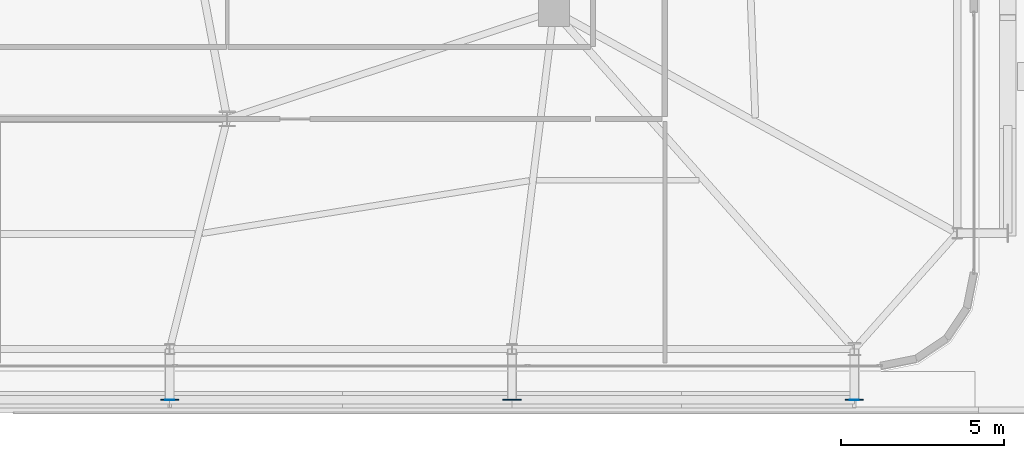
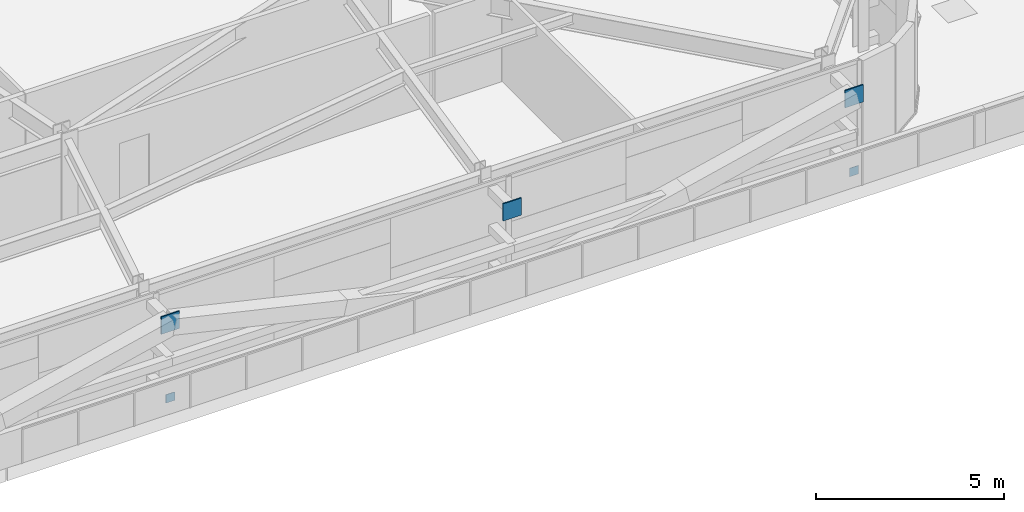
# One storey, part 44 of 56: 5 plates.
"""IFC4 building model written with IfcOpenShell, lengths in metres."""

from ifc_helpers import new_model, si_unit, direction, frame, origin, origin_2d, place, context, subcontext, project, spatial, rectangle, extrude, source, transform, mapped, material, layer, layer_set, type_object, element, save


model = new_model("IFC4")

# Units and contexts
model_context = context("Model", 3, precision=1e-05, world=origin(), true_north=direction((0.0, 1.0)))
body_context = subcontext(model_context, "Body", "Model", "MODEL_VIEW")
ifc_project = project(units=[si_unit("LENGTHUNIT", "METRE"), si_unit("AREAUNIT", "SQUARE_METRE"), si_unit("VOLUMEUNIT", "CUBIC_METRE"), si_unit("PLANEANGLEUNIT", "RADIAN"), si_unit("MASSUNIT", "GRAM", prefix="KILO")], contexts=[model_context])

# Site, building, storey
site_placement = place(None, origin())
site = spatial("IfcSite", under=ifc_project, at=site_placement, CompositionType="ELEMENT")
building_placement = place(site_placement, origin())
building = spatial("IfcBuilding", under=site, at=building_placement, Name="Taldren Reach Tower", CompositionType="ELEMENT")
storey_placement = place(building_placement, frame((0.0, 0.0, 16.800048828125)))
storey = spatial("IfcBuildingStorey", under=building, at=storey_placement, Name="L04", CompositionType="ELEMENT", Elevation=16.800048828125)

# Plates
ifc_material = material(Name="Steel Gr 450 (C450L0)", Category="steel")
ifc_layer_1 = layer(ifc_material, 0.0400390625)
ifc_layer_set_1 = layer_set([ifc_layer_1], Name="Steel Gr 450 (C450L0)")
plate_type_1 = type_object("IfcPlateType", Name="PL-GUSSET-40", PredefinedType="SHEET", material=ifc_layer_set_1)
shared_shape_1 = source(origin(), body_context, "Body", "SweptSolid", [
    extrude(rectangle(XDim=0.56005859375, YDim=0.0400390625, at=origin_2d()), origin(), (0.0, 0.0, 1.0), 0.56005859375),
])
for number, where, z_axis, x_axis, name in (
    (1, (40.239990234375, 0.60009765625, 2.369873046875), (0.0, 0.0, 1.0), (1.0, 0.0, 0.0), "Exoskeleton star-node gusset plate B1-S4 L04"),
    (2, (50.719970703125, 0.60009765625, 2.369873046875), (0.0, 0.0, 1.0), (1.0, 0.0, 0.0), "Exoskeleton star-node gusset plate B1-S5 L04"),
    (3, (61.199951171875, 0.60009765625, 2.369873046875), (0.0, 0.0, 1.0), (1.0, 0.0, 0.0), "Exoskeleton star-node gusset plate B1-S6 L04"),
):
    element("IfcPlate", number, at=place(storey_placement, frame(where, z_axis=z_axis, x_axis=x_axis)), inside=storey, type_object=plate_type_1, Name=name, PredefinedType="SHEET", context=body_context, shape_type="MappedRepresentation", body=[
        mapped(shared_shape_1, transform((0.0, 0.0, 0.0), scale=1.0)),
    ])
ifc_layer_2 = layer(ifc_material, 0.011962890625)
ifc_layer_set_2 = layer_set([ifc_layer_2], Name="Steel Gr 450 (C450L0)")
plate_type_2 = type_object("IfcPlateType", Name="PL-CAP-275", PredefinedType="SHEET", material=ifc_layer_set_2)
shared_shape_2 = source(origin(), body_context, "Body", "SweptSolid", [
    extrude(rectangle(XDim=0.27490234375, YDim=0.011962890625, at=origin_2d()), origin(), (0.0, 0.0, 1.0), 0.27490234375),
])
for number, where, z_axis, x_axis, name in (
    (4, (40.239990234375, 0.593994140625, 0.08251953125), (0.0, 0.0, 1.0), (1.0, 0.0, 0.0), "Tie strut end cap plate B1-S4 L04"),
    (5, (61.199951171875, 0.593994140625, 0.08251953125), (0.0, 0.0, 1.0), (1.0, 0.0, 0.0), "Tie strut end cap plate B1-S6 L04"),
):
    element("IfcPlate", number, at=place(storey_placement, frame(where, z_axis=z_axis, x_axis=x_axis)), inside=storey, type_object=plate_type_2, Name=name, PredefinedType="SHEET", context=body_context, shape_type="MappedRepresentation", body=[
        mapped(shared_shape_2, transform((0.0, 0.0, 0.0), scale=1.0)),
    ])

save(model, "model.ifc")
